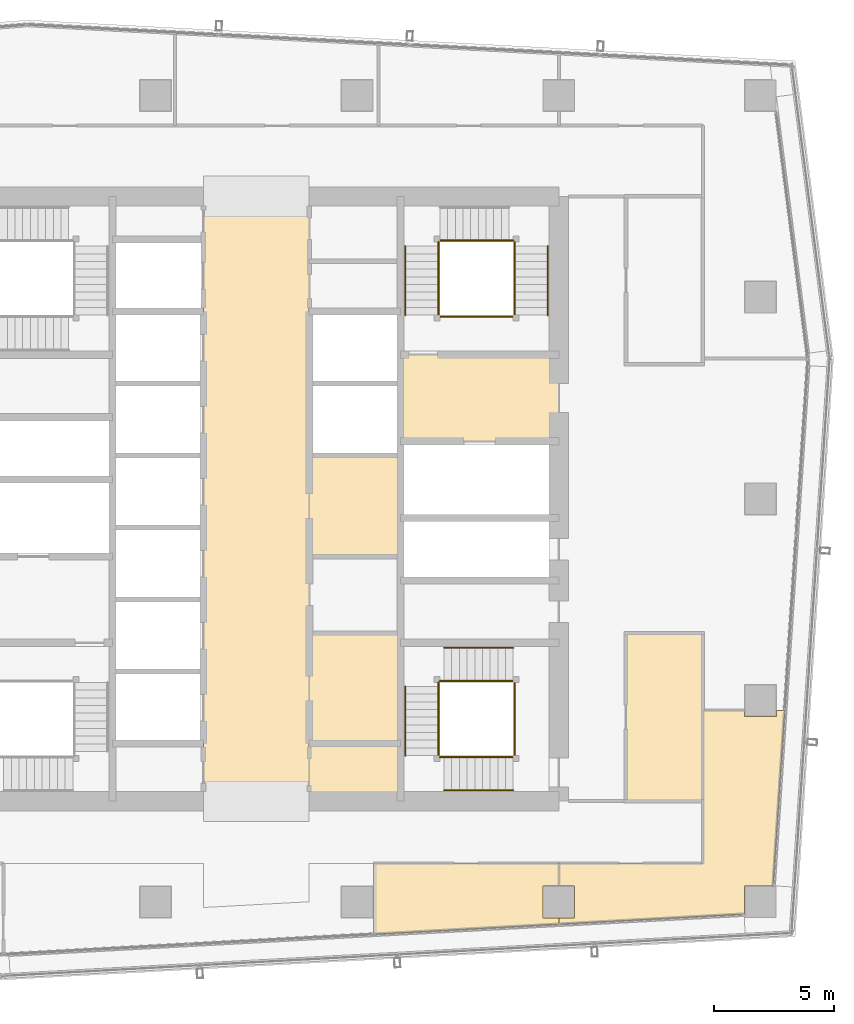
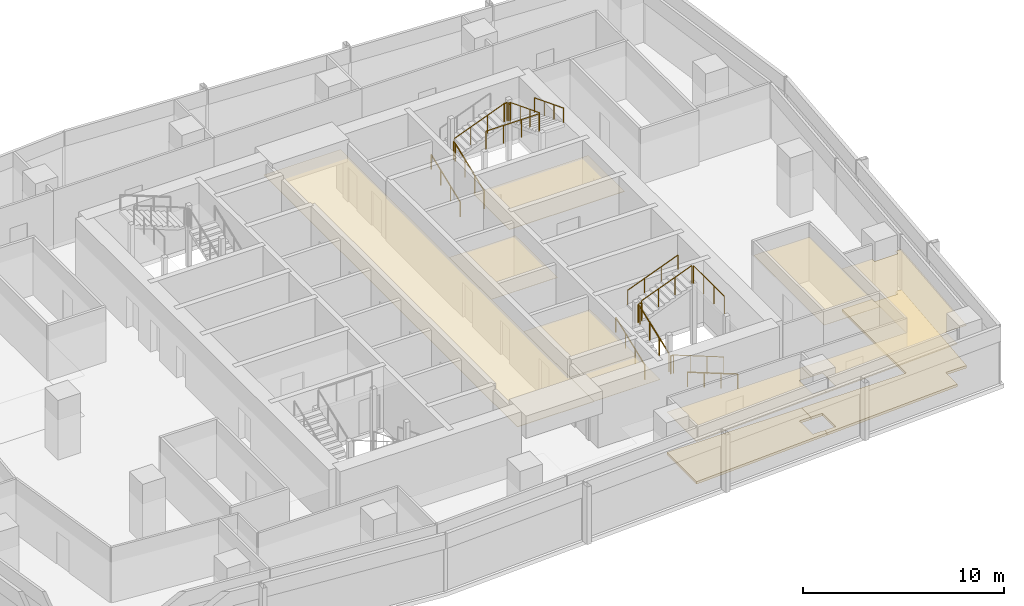
# One storey, part 28 of 29: 19 railings, 10 coverings.
"""IFC4 building model written with IfcOpenShell, lengths in metres."""

from ifc_helpers import new_model, si_unit, direction, frame, origin, origin_2d, place, context, subcontext, project, spatial, polyline, circle, outline, extrude, material, layer, layer_set, type_object, element, save


model = new_model("IFC4")

# Units and contexts
model_context = context("Model", 3, precision=1e-05, world=origin(), true_north=direction((0.0, 1.0)))
body_context = subcontext(model_context, "Body", "Model", "MODEL_VIEW")
ifc_project = project(units=[si_unit("LENGTHUNIT", "METRE"), si_unit("AREAUNIT", "SQUARE_METRE"), si_unit("VOLUMEUNIT", "CUBIC_METRE"), si_unit("PLANEANGLEUNIT", "RADIAN"), si_unit("MASSUNIT", "GRAM", prefix="KILO")], contexts=[model_context])

# Site, building, storey
site_placement = place(None, origin())
site = spatial("IfcSite", under=ifc_project, at=site_placement, CompositionType="ELEMENT")
building_placement = place(site_placement, origin())
building = spatial("IfcBuilding", under=site, at=building_placement, Name="Rekha Terrace Tower", CompositionType="ELEMENT")
storey_placement = place(building_placement, frame((0.0, 0.0, 261.35009765625)))
storey = spatial("IfcBuildingStorey", under=building, at=storey_placement, Name="L66", CompositionType="ELEMENT", Elevation=261.35009765625)

# Coverings
ifc_material_1 = material(Name="Mineral fibre tile in exposed grid", Category="finish")
ifc_layer_1 = layer(ifc_material_1, 0.02001953125)
ifc_layer_set_1 = layer_set([ifc_layer_1], Name="Mineral fibre tile in exposed grid")
covering_type_1 = type_object("IfcCoveringType", Name="CL1 600x1200 office grid ceiling", PredefinedType="CEILING", material=ifc_layer_set_1)
covering_1_placement = place(storey_placement, frame((0.0, 0.0, 2.579833984375)))
element("IfcCovering", 1, at=covering_1_placement, inside=storey, type_object=covering_type_1, Name="Ceiling L66-02", PredefinedType="CEILING", context=body_context, shape_type="SweptSolid", body=[
    extrude(outline(polyline([(49.735107421875, 17.465087890625), (50.39990234375, 17.465087890625), (50.39990234375, 18.39990234375), (42.674072265625, 18.39990234375), (42.674072265625, 15.4541015625), (50.39990234375, 15.875), (50.39990234375, 16.135009765625), (49.735107421875, 16.135009765625), (49.735107421875, 17.465087890625)])), origin(), (0.0, 0.0, 1.0), 0.02001953125),
])
covering_2_placement = place(storey_placement, frame((0.0, 0.0, 2.579833984375)))
element("IfcCovering", 2, at=covering_2_placement, inside=storey, type_object=covering_type_1, Name="Ceiling L66-03", PredefinedType="CEILING", context=body_context, shape_type="SweptSolid", body=[
    extrude(outline(polyline([(58.135009765625, 24.534912109375), (58.135009765625, 24.785888671875), (56.39990234375, 24.785888671875), (56.39990234375, 18.39990234375), (50.40087890625, 18.39990234375), (50.40087890625, 17.465087890625), (51.06494140625, 17.465087890625), (51.06494140625, 16.135009765625), (50.40087890625, 16.135009765625), (50.40087890625, 15.875), (58.135009765625, 16.2958984375), (58.135009765625, 17.465087890625), (59.327880859375, 17.465087890625), (59.81396484375, 24.785888671875), (59.465087890625, 24.785888671875), (59.465087890625, 24.534912109375), (58.135009765625, 24.534912109375)])), origin(), (0.0, 0.0, 1.0), 0.02001953125),
])
ifc_material_2 = material(Name="Fibre cement board", Category="finish")
ifc_layer_2 = layer(ifc_material_2, 0.014892578125)
ifc_layer_set_2 = layer_set([ifc_layer_2], Name="Fibre cement board")
covering_type_2 = type_object("IfcCoveringType", Name="CL2 moisture-resistant board ceiling", PredefinedType="CEILING", material=ifc_layer_set_2)
covering_3_placement = place(storey_placement, frame((0.0, 0.0, 2.5849609375)))
element("IfcCovering", 3, at=covering_3_placement, inside=storey, type_object=covering_type_2, Name="Ceiling L66-WCA", PredefinedType="CEILING", context=body_context, shape_type="SweptSolid", body=[
    extrude(outline(polyline([(43.800048828125, 23.39990234375), (40.0, 23.39990234375), (40.0, 21.0), (43.800048828125, 21.0), (43.800048828125, 23.39990234375)])), origin(), (0.0, 0.0, 1.0), 0.014892578125),
])
covering_4_placement = place(storey_placement, frame((0.0, 0.0, 2.5849609375)))
element("IfcCovering", 4, at=covering_4_placement, inside=storey, type_object=covering_type_2, Name="Ceiling L66-FSE1", PredefinedType="CEILING", context=body_context, shape_type="SweptSolid", body=[
    extrude(outline(polyline([(43.800048828125, 28.0), (40.0, 28.0), (40.0, 23.39990234375), (43.800048828125, 23.39990234375), (43.800048828125, 28.0)])), origin(), (0.0, 0.0, 1.0), 0.014892578125),
])
covering_5_placement = place(storey_placement, frame((0.0, 0.0, 2.5849609375)))
element("IfcCovering", 5, at=covering_5_placement, inside=storey, type_object=covering_type_2, Name="Ceiling L66-FSE3", PredefinedType="CEILING", context=body_context, shape_type="SweptSolid", body=[
    extrude(outline(polyline([(43.800048828125, 35.39990234375), (40.0, 35.39990234375), (40.0, 31.199951171875), (43.800048828125, 31.199951171875), (43.800048828125, 35.39990234375)])), origin(), (0.0, 0.0, 1.0), 0.014892578125),
])
covering_6_placement = place(storey_placement, frame((0.0, 0.0, 2.5849609375)))
element("IfcCovering", 6, at=covering_6_placement, inside=storey, type_object=covering_type_2, Name="Ceiling L66-WCM2", PredefinedType="CEILING", context=body_context, shape_type="SweptSolid", body=[
    extrude(outline(polyline([(56.39990234375, 28.0), (53.199951171875, 28.0), (53.199951171875, 21.0), (56.39990234375, 21.0), (56.39990234375, 28.0)])), origin(), (0.0, 0.0, 1.0), 0.014892578125),
])
ifc_material_3 = material(Name="Powder-coated aluminium pan", Category="aluminium")
ifc_layer_3 = layer(ifc_material_3, 0.030029296875)
ifc_layer_set_3 = layer_set([ifc_layer_3], Name="Powder-coated aluminium pan")
covering_type_3 = type_object("IfcCoveringType", Name="CL3 300x1200 metal pan ceiling", PredefinedType="CEILING", material=ifc_layer_set_3)
covering_7_placement = place(storey_placement, frame((0.0, 0.0, 2.56982421875)))
element("IfcCovering", 7, at=covering_7_placement, inside=storey, type_object=covering_type_3, Name="Ceiling L66-LOBBY", PredefinedType="CEILING", context=body_context, shape_type="SweptSolid", body=[
    extrude(outline(polyline([(40.0, 46.199951171875), (35.60009765625, 46.199951171875), (35.60009765625, 21.0), (40.0, 21.0), (40.0, 46.199951171875)])), origin(), (0.0, 0.0, 1.0), 0.030029296875),
])
covering_8_placement = place(storey_placement, frame((0.0, 0.0, 2.56982421875)))
element("IfcCovering", 8, at=covering_8_placement, inside=storey, type_object=covering_type_3, Name="Ceiling L66-FLB2", PredefinedType="CEILING", context=body_context, shape_type="SweptSolid", body=[
    extrude(outline(polyline([(50.39990234375, 39.60009765625), (43.800048828125, 39.60009765625), (43.800048828125, 36.0), (50.39990234375, 36.0), (50.39990234375, 39.60009765625)])), origin(), (0.0, 0.0, 1.0), 0.030029296875),
])

# Railings
ifc_material_4 = material(Name="Stainless steel balustrade", Category="steel")
railing_type_1 = type_object("IfcRailingType", Name="GR1 1100 stair guard", PredefinedType="GUARDRAIL", material=ifc_material_4)
railing_1_placement = place(storey_placement, frame((45.389892578125, 41.25, 0.125)))
element("IfcRailing", 9, at=railing_1_placement, inside=storey, type_object=railing_type_1, Name="Guard ST2 L66 flight 1", PredefinedType="GUARDRAIL", context=body_context, shape_type="SweptSolid", body=[
    extrude(circle(Radius=0.02392578125, at=origin_2d()), frame((0.0, 0.0, 1.076171875), z_axis=(0.0, 0.931452331594, 0.363863372667), x_axis=(-1.0, 0.0, 0.0)), (0.0, 0.0, 1.0), 3.091796875),
    extrude(circle(Radius=0.02099609375, at=origin_2d()), origin(), (0.0, 0.0, 1.0), 1.052001953125),
    extrude(circle(Radius=0.02099609375, at=origin_2d()), frame((0.0, 0.9599609375, 0.375)), (0.0, 0.0, 1.0), 1.052001953125),
    extrude(circle(Radius=0.02099609375, at=origin_2d()), frame((0.0, 1.919921875, 0.75)), (0.0, 0.0, 1.0), 1.052001953125),
    extrude(circle(Radius=0.02099609375, at=origin_2d()), frame((0.0, 2.8798828125, 1.125)), (0.0, 0.0, 1.0), 1.052001953125),
])
railing_2_placement = place(storey_placement, frame((45.449951171875, 44.360107421875, 1.375)))
element("IfcRailing", 10, at=railing_2_placement, inside=storey, type_object=railing_type_1, Name="Guard ST2 L66 flight 2", PredefinedType="GUARDRAIL", context=body_context, shape_type="SweptSolid", body=[
    extrude(circle(Radius=0.02392578125, at=origin_2d()), frame((0.0, 0.0, 1.076171875), z_axis=(0.931462784923, 0.0, 0.363836612098), x_axis=(0.0, 1.0, 0.0)), (0.0, 0.0, 1.0), 3.092041015625),
    extrude(circle(Radius=0.02099609375, at=origin_2d()), origin(), (0.0, 0.0, 1.0), 1.052001953125),
    extrude(circle(Radius=0.02099609375, at=origin_2d()), frame((0.9599609375, 0.0, 0.375)), (0.0, 0.0, 1.0), 1.052001953125),
    extrude(circle(Radius=0.02099609375, at=origin_2d()), frame((1.920166015625, 0.0, 0.75)), (0.0, 0.0, 1.0), 1.052001953125),
    extrude(circle(Radius=0.02099609375, at=origin_2d()), frame((2.880126953125, 0.0, 1.125)), (0.0, 0.0, 1.0), 1.052001953125),
])
railing_3_placement = place(storey_placement, frame((48.56005859375, 44.1298828125, 2.625)))
element("IfcRailing", 11, at=railing_3_placement, inside=storey, type_object=railing_type_1, Name="Guard ST2 L66 flight 3", PredefinedType="GUARDRAIL", context=body_context, shape_type="SweptSolid", body=[
    extrude(circle(Radius=0.02392578125, at=origin_2d()), frame((0.0, 0.0, 1.076171875), z_axis=(0.0, -0.931452331594, 0.363863372667), x_axis=(1.0, 0.0, 0.0)), (0.0, 0.0, 1.0), 3.091796875),
    extrude(circle(Radius=0.02099609375, at=origin_2d()), origin(), (0.0, 0.0, 1.0), 1.052001953125),
    extrude(circle(Radius=0.02099609375, at=origin_2d()), frame((0.0, -0.9599609375, 0.375)), (0.0, 0.0, 1.0), 1.052001953125),
    extrude(circle(Radius=0.02099609375, at=origin_2d()), frame((0.0, -1.919921875, 0.75)), (0.0, 0.0, 1.0), 1.052001953125),
    extrude(circle(Radius=0.02099609375, at=origin_2d()), frame((0.0, -2.8798828125, 1.125)), (0.0, 0.0, 1.0), 1.052001953125),
])
railing_4_placement = place(storey_placement, frame((45.389892578125, 44.1298828125, 1.25)))
element("IfcRailing", 12, at=railing_4_placement, inside=storey, type_object=railing_type_1, Name="Guard ST2 L66 landing 1", PredefinedType="GUARDRAIL", context=body_context, shape_type="SweptSolid", body=[
    extrude(circle(Radius=0.02392578125, at=origin_2d()), frame((0.0, 0.0, 1.076171875), z_axis=(0.0, 1.0, 0.0), x_axis=(-1.0, 0.0, 0.0)), (0.0, 0.0, 1.0), 0.170166015625),
    extrude(circle(Radius=0.02099609375, at=origin_2d()), origin(), (0.0, 0.0, 1.0), 1.052001953125),
    extrude(circle(Radius=0.02099609375, at=origin_2d()), frame((0.0, 0.170166015625, 0.0)), (0.0, 0.0, 1.0), 1.052001953125),
])
railing_5_placement = place(storey_placement, frame((48.330078125, 44.360107421875, 2.5)))
element("IfcRailing", 13, at=railing_5_placement, inside=storey, type_object=railing_type_1, Name="Guard ST2 L66 landing 2", PredefinedType="GUARDRAIL", context=body_context, shape_type="SweptSolid", body=[
    extrude(circle(Radius=0.02392578125, at=origin_2d()), frame((0.0, 0.0, 1.076171875), z_axis=(1.0, 0.0, 0.0), x_axis=(0.0, 1.0, 0.0)), (0.0, 0.0, 1.0), 0.169921875),
    extrude(circle(Radius=0.02099609375, at=origin_2d()), origin(), (0.0, 0.0, 1.0), 1.052001953125),
    extrude(circle(Radius=0.02099609375, at=origin_2d()), frame((0.169921875, 0.0, 0.0)), (0.0, 0.0, 1.0), 1.052001953125),
])
railing_6_placement = place(storey_placement, frame((48.56005859375, 44.1298828125, 2.5)))
element("IfcRailing", 14, at=railing_6_placement, inside=storey, type_object=railing_type_1, Name="Guard ST2 L66 landing 3", PredefinedType="GUARDRAIL", context=body_context, shape_type="SweptSolid", body=[
    extrude(circle(Radius=0.02392578125, at=origin_2d()), frame((0.0, 0.0, 1.076171875), z_axis=(0.0, 1.0, 0.0), x_axis=(-1.0, 0.0, 0.0)), (0.0, 0.0, 1.0), 0.170166015625),
    extrude(circle(Radius=0.02099609375, at=origin_2d()), origin(), (0.0, 0.0, 1.0), 1.052001953125),
    extrude(circle(Radius=0.02099609375, at=origin_2d()), frame((0.0, 0.170166015625, 0.0)), (0.0, 0.0, 1.0), 1.052001953125),
])
railing_7_placement = place(storey_placement, frame((45.449951171875, 41.18994140625, 3.75)))
element("IfcRailing", 15, at=railing_7_placement, inside=storey, type_object=railing_type_1, Name="Guard ST2 L66 landing 4", PredefinedType="GUARDRAIL", context=body_context, shape_type="SweptSolid", body=[
    extrude(circle(Radius=0.02392578125, at=origin_2d()), frame((0.0, 0.0, 1.076171875), z_axis=(1.0, 0.0, 0.0), x_axis=(0.0, 1.0, 0.0)), (0.0, 0.0, 1.0), 3.050048828125),
    extrude(circle(Radius=0.02099609375, at=origin_2d()), origin(), (0.0, 0.0, 1.0), 1.052001953125),
    extrude(circle(Radius=0.02099609375, at=origin_2d()), frame((1.0166015625, 0.0, 0.0)), (0.0, 0.0, 1.0), 1.052001953125),
    extrude(circle(Radius=0.02099609375, at=origin_2d()), frame((2.033447265625, 0.0, 0.0)), (0.0, 0.0, 1.0), 1.052001953125),
    extrude(circle(Radius=0.02099609375, at=origin_2d()), frame((3.050048828125, 0.0, 0.0)), (0.0, 0.0, 1.0), 1.052001953125),
])
railing_8_placement = place(storey_placement, frame((48.5, 22.840087890625, 0.125)))
element("IfcRailing", 16, at=railing_8_placement, inside=storey, type_object=railing_type_1, Name="Guard ST3 L66 flight 1", PredefinedType="GUARDRAIL", context=body_context, shape_type="SweptSolid", body=[
    extrude(circle(Radius=0.02392578125, at=origin_2d()), frame((0.0, 0.0, 1.076171875), z_axis=(-0.931452331594, 0.0, 0.363863372667), x_axis=(0.0, -1.0, 0.0)), (0.0, 0.0, 1.0), 3.091796875),
    extrude(circle(Radius=0.02099609375, at=origin_2d()), origin(), (0.0, 0.0, 1.0), 1.052001953125),
    extrude(circle(Radius=0.02099609375, at=origin_2d()), frame((-0.9599609375, 0.0, 0.375)), (0.0, 0.0, 1.0), 1.052001953125),
    extrude(circle(Radius=0.02099609375, at=origin_2d()), frame((-1.919921875, 0.0, 0.75)), (0.0, 0.0, 1.0), 1.052001953125),
    extrude(circle(Radius=0.02099609375, at=origin_2d()), frame((-2.8798828125, 0.0, 1.125)), (0.0, 0.0, 1.0), 1.052001953125),
])
railing_9_placement = place(storey_placement, frame((45.389892578125, 22.89990234375, 1.375)))
element("IfcRailing", 17, at=railing_9_placement, inside=storey, type_object=railing_type_1, Name="Guard ST3 L66 flight 2", PredefinedType="GUARDRAIL", context=body_context, shape_type="SweptSolid", body=[
    extrude(circle(Radius=0.02392578125, at=origin_2d()), frame((0.0, 0.0, 1.076171875), z_axis=(0.0, 0.931462784923, 0.363836612098), x_axis=(-1.0, 0.0, 0.0)), (0.0, 0.0, 1.0), 3.092041015625),
    extrude(circle(Radius=0.02099609375, at=origin_2d()), origin(), (0.0, 0.0, 1.0), 1.052001953125),
    extrude(circle(Radius=0.02099609375, at=origin_2d()), frame((0.0, 0.9599609375, 0.375)), (0.0, 0.0, 1.0), 1.052001953125),
    extrude(circle(Radius=0.02099609375, at=origin_2d()), frame((0.0, 1.920166015625, 0.75)), (0.0, 0.0, 1.0), 1.052001953125),
    extrude(circle(Radius=0.02099609375, at=origin_2d()), frame((0.0, 2.880126953125, 1.125)), (0.0, 0.0, 1.0), 1.052001953125),
])
railing_10_placement = place(storey_placement, frame((45.6201171875, 26.010009765625, 2.625)))
element("IfcRailing", 18, at=railing_10_placement, inside=storey, type_object=railing_type_1, Name="Guard ST3 L66 flight 3", PredefinedType="GUARDRAIL", context=body_context, shape_type="SweptSolid", body=[
    extrude(circle(Radius=0.02392578125, at=origin_2d()), frame((0.0, 0.0, 1.076171875), z_axis=(0.931452331594, 0.0, 0.363863372667), x_axis=(0.0, 1.0, 0.0)), (0.0, 0.0, 1.0), 3.091796875),
    extrude(circle(Radius=0.02099609375, at=origin_2d()), origin(), (0.0, 0.0, 1.0), 1.052001953125),
    extrude(circle(Radius=0.02099609375, at=origin_2d()), frame((0.9599609375, 0.0, 0.375)), (0.0, 0.0, 1.0), 1.052001953125),
    extrude(circle(Radius=0.02099609375, at=origin_2d()), frame((1.919921875, 0.0, 0.75)), (0.0, 0.0, 1.0), 1.052001953125),
    extrude(circle(Radius=0.02099609375, at=origin_2d()), frame((2.8798828125, 0.0, 1.125)), (0.0, 0.0, 1.0), 1.052001953125),
])
railing_11_placement = place(storey_placement, frame((45.6201171875, 22.840087890625, 1.25)))
element("IfcRailing", 19, at=railing_11_placement, inside=storey, type_object=railing_type_1, Name="Guard ST3 L66 landing 1", PredefinedType="GUARDRAIL", context=body_context, shape_type="SweptSolid", body=[
    extrude(circle(Radius=0.02392578125, at=origin_2d()), frame((0.0, 0.0, 1.076171875), z_axis=(-1.0, 0.0, 0.0), x_axis=(0.0, -1.0, 0.0)), (0.0, 0.0, 1.0), 0.170166015625),
    extrude(circle(Radius=0.02099609375, at=origin_2d()), origin(), (0.0, 0.0, 1.0), 1.052001953125),
    extrude(circle(Radius=0.02099609375, at=origin_2d()), frame((-0.170166015625, 0.0, 0.0)), (0.0, 0.0, 1.0), 1.052001953125),
])
railing_12_placement = place(storey_placement, frame((45.389892578125, 25.780029296875, 2.5)))
element("IfcRailing", 20, at=railing_12_placement, inside=storey, type_object=railing_type_1, Name="Guard ST3 L66 landing 2", PredefinedType="GUARDRAIL", context=body_context, shape_type="SweptSolid", body=[
    extrude(circle(Radius=0.02392578125, at=origin_2d()), frame((0.0, 0.0, 1.076171875), z_axis=(0.0, 1.0, 0.0), x_axis=(-1.0, 0.0, 0.0)), (0.0, 0.0, 1.0), 0.169921875),
    extrude(circle(Radius=0.02099609375, at=origin_2d()), origin(), (0.0, 0.0, 1.0), 1.052001953125),
    extrude(circle(Radius=0.02099609375, at=origin_2d()), frame((0.0, 0.169921875, 0.0)), (0.0, 0.0, 1.0), 1.052001953125),
])
railing_13_placement = place(storey_placement, frame((45.6201171875, 26.010009765625, 2.5)))
element("IfcRailing", 21, at=railing_13_placement, inside=storey, type_object=railing_type_1, Name="Guard ST3 L66 landing 3", PredefinedType="GUARDRAIL", context=body_context, shape_type="SweptSolid", body=[
    extrude(circle(Radius=0.02392578125, at=origin_2d()), frame((0.0, 0.0, 1.076171875), z_axis=(-1.0, 0.0, 0.0), x_axis=(0.0, -1.0, 0.0)), (0.0, 0.0, 1.0), 0.170166015625),
    extrude(circle(Radius=0.02099609375, at=origin_2d()), origin(), (0.0, 0.0, 1.0), 1.052001953125),
    extrude(circle(Radius=0.02099609375, at=origin_2d()), frame((-0.170166015625, 0.0, 0.0)), (0.0, 0.0, 1.0), 1.052001953125),
])
railing_14_placement = place(storey_placement, frame((48.56005859375, 22.89990234375, 3.75)))
element("IfcRailing", 22, at=railing_14_placement, inside=storey, type_object=railing_type_1, Name="Guard ST3 L66 landing 4", PredefinedType="GUARDRAIL", context=body_context, shape_type="SweptSolid", body=[
    extrude(circle(Radius=0.02392578125, at=origin_2d()), frame((0.0, 0.0, 1.076171875), z_axis=(0.0, 1.0, 0.0), x_axis=(-1.0, 0.0, 0.0)), (0.0, 0.0, 1.0), 3.050048828125),
    extrude(circle(Radius=0.02099609375, at=origin_2d()), origin(), (0.0, 0.0, 1.0), 1.052001953125),
    extrude(circle(Radius=0.02099609375, at=origin_2d()), frame((0.0, 1.0166015625, 0.0)), (0.0, 0.0, 1.0), 1.052001953125),
    extrude(circle(Radius=0.02099609375, at=origin_2d()), frame((0.0, 2.033447265625, 0.0)), (0.0, 0.0, 1.0), 1.052001953125),
    extrude(circle(Radius=0.02099609375, at=origin_2d()), frame((0.0, 3.050048828125, 0.0)), (0.0, 0.0, 1.0), 1.052001953125),
])
ifc_material_5 = material(Name="Stainless steel tube", Category="steel")
railing_type_2 = type_object("IfcRailingType", Name="HR1 900 stair handrail", PredefinedType="HANDRAIL", material=ifc_material_5)
railing_15_placement = place(storey_placement, frame((44.010009765625, 41.25, 0.125)))
element("IfcRailing", 23, at=railing_15_placement, inside=storey, type_object=railing_type_2, Name="Handrail ST2 L66 flight 1", PredefinedType="HANDRAIL", context=body_context, shape_type="SweptSolid", body=[
    extrude(circle(Radius=0.02392578125, at=origin_2d()), frame((0.0, 0.0, 0.8759765625), z_axis=(0.0, 0.931452331594, 0.363863372667), x_axis=(-1.0, 0.0, 0.0)), (0.0, 0.0, 1.0), 3.091796875),
    extrude(circle(Radius=0.02099609375, at=origin_2d()), origin(), (0.0, 0.0, 1.0), 0.851806640625),
    extrude(circle(Radius=0.02099609375, at=origin_2d()), frame((0.0, 0.9599609375, 0.375)), (0.0, 0.0, 1.0), 0.851806640625),
    extrude(circle(Radius=0.02099609375, at=origin_2d()), frame((0.0, 1.919921875, 0.75)), (0.0, 0.0, 1.0), 0.851806640625),
    extrude(circle(Radius=0.02099609375, at=origin_2d()), frame((0.0, 2.8798828125, 1.125)), (0.0, 0.0, 1.0), 0.851806640625),
])
railing_16_placement = place(storey_placement, frame((49.93994140625, 44.1298828125, 2.625)))
element("IfcRailing", 24, at=railing_16_placement, inside=storey, type_object=railing_type_2, Name="Handrail ST2 L66 flight 3", PredefinedType="HANDRAIL", context=body_context, shape_type="SweptSolid", body=[
    extrude(circle(Radius=0.02392578125, at=origin_2d()), frame((0.0, 0.0, 0.8759765625), z_axis=(0.0, -0.931452331594, 0.363863372667), x_axis=(1.0, 0.0, 0.0)), (0.0, 0.0, 1.0), 3.091796875),
    extrude(circle(Radius=0.02099609375, at=origin_2d()), origin(), (0.0, 0.0, 1.0), 0.851806640625),
    extrude(circle(Radius=0.02099609375, at=origin_2d()), frame((0.0, -0.9599609375, 0.375)), (0.0, 0.0, 1.0), 0.851806640625),
    extrude(circle(Radius=0.02099609375, at=origin_2d()), frame((0.0, -1.919921875, 0.75)), (0.0, 0.0, 1.0), 0.851806640625),
    extrude(circle(Radius=0.02099609375, at=origin_2d()), frame((0.0, -2.8798828125, 1.125)), (0.0, 0.0, 1.0), 0.851806640625),
])
railing_17_placement = place(storey_placement, frame((48.5, 21.4599609375, 0.125)))
element("IfcRailing", 25, at=railing_17_placement, inside=storey, type_object=railing_type_2, Name="Handrail ST3 L66 flight 1", PredefinedType="HANDRAIL", context=body_context, shape_type="SweptSolid", body=[
    extrude(circle(Radius=0.02392578125, at=origin_2d()), frame((0.0, 0.0, 0.8759765625), z_axis=(-0.931452331594, 0.0, 0.363863372667), x_axis=(0.0, -1.0, 0.0)), (0.0, 0.0, 1.0), 3.091796875),
    extrude(circle(Radius=0.02099609375, at=origin_2d()), origin(), (0.0, 0.0, 1.0), 0.851806640625),
    extrude(circle(Radius=0.02099609375, at=origin_2d()), frame((-0.9599609375, 0.0, 0.375)), (0.0, 0.0, 1.0), 0.851806640625),
    extrude(circle(Radius=0.02099609375, at=origin_2d()), frame((-1.919921875, 0.0, 0.75)), (0.0, 0.0, 1.0), 0.851806640625),
    extrude(circle(Radius=0.02099609375, at=origin_2d()), frame((-2.8798828125, 0.0, 1.125)), (0.0, 0.0, 1.0), 0.851806640625),
])
railing_18_placement = place(storey_placement, frame((44.010009765625, 22.89990234375, 1.375)))
element("IfcRailing", 26, at=railing_18_placement, inside=storey, type_object=railing_type_2, Name="Handrail ST3 L66 flight 2", PredefinedType="HANDRAIL", context=body_context, shape_type="SweptSolid", body=[
    extrude(circle(Radius=0.02392578125, at=origin_2d()), frame((0.0, 0.0, 0.8759765625), z_axis=(0.0, 0.931462784923, 0.363836612098), x_axis=(-1.0, 0.0, 0.0)), (0.0, 0.0, 1.0), 3.092041015625),
    extrude(circle(Radius=0.02099609375, at=origin_2d()), origin(), (0.0, 0.0, 1.0), 0.851806640625),
    extrude(circle(Radius=0.02099609375, at=origin_2d()), frame((0.0, 0.9599609375, 0.375)), (0.0, 0.0, 1.0), 0.851806640625),
    extrude(circle(Radius=0.02099609375, at=origin_2d()), frame((0.0, 1.920166015625, 0.75)), (0.0, 0.0, 1.0), 0.851806640625),
    extrude(circle(Radius=0.02099609375, at=origin_2d()), frame((0.0, 2.880126953125, 1.125)), (0.0, 0.0, 1.0), 0.851806640625),
])
railing_19_placement = place(storey_placement, frame((45.6201171875, 27.389892578125, 2.625)))
element("IfcRailing", 27, at=railing_19_placement, inside=storey, type_object=railing_type_2, Name="Handrail ST3 L66 flight 3", PredefinedType="HANDRAIL", context=body_context, shape_type="SweptSolid", body=[
    extrude(circle(Radius=0.02392578125, at=origin_2d()), frame((0.0, 0.0, 0.8759765625), z_axis=(0.931452331594, 0.0, 0.363863372667), x_axis=(0.0, 1.0, 0.0)), (0.0, 0.0, 1.0), 3.091796875),
    extrude(circle(Radius=0.02099609375, at=origin_2d()), origin(), (0.0, 0.0, 1.0), 0.851806640625),
    extrude(circle(Radius=0.02099609375, at=origin_2d()), frame((0.9599609375, 0.0, 0.375)), (0.0, 0.0, 1.0), 0.851806640625),
    extrude(circle(Radius=0.02099609375, at=origin_2d()), frame((1.919921875, 0.0, 0.75)), (0.0, 0.0, 1.0), 0.851806640625),
    extrude(circle(Radius=0.02099609375, at=origin_2d()), frame((2.8798828125, 0.0, 1.125)), (0.0, 0.0, 1.0), 0.851806640625),
])

# Coverings
ifc_material_6 = material(Name="Calcium sulphate panels on steel pedestals", Category="steel")
ifc_layer_4 = layer(ifc_material_6, 0.14990234375)
ifc_layer_set_4 = layer_set([ifc_layer_4], Name="Calcium sulphate panels on steel pedestals")
covering_type_4 = type_object("IfcCoveringType", Name="RF1 150 raised access floor", PredefinedType="FLOORING", material=ifc_layer_set_4)
covering_9_placement = place(storey_placement, origin())
element("IfcCovering", 28, at=covering_9_placement, inside=storey, type_object=covering_type_4, Name="Raised floor L66-02", PredefinedType="FLOORING", context=body_context, shape_type="SweptSolid", body=[
    extrude(outline(polyline([(49.735107421875, 17.465087890625), (50.39990234375, 17.465087890625), (50.39990234375, 18.39990234375), (42.674072265625, 18.39990234375), (42.674072265625, 15.4541015625), (50.39990234375, 15.875), (50.39990234375, 16.135009765625), (49.735107421875, 16.135009765625), (49.735107421875, 17.465087890625)])), origin(), (0.0, 0.0, 1.0), 0.14990234375),
])
covering_10_placement = place(storey_placement, origin())
element("IfcCovering", 29, at=covering_10_placement, inside=storey, type_object=covering_type_4, Name="Raised floor L66-03", PredefinedType="FLOORING", context=body_context, shape_type="SweptSolid", body=[
    extrude(outline(polyline([(58.135009765625, 24.534912109375), (58.135009765625, 24.785888671875), (56.39990234375, 24.785888671875), (56.39990234375, 18.39990234375), (50.40087890625, 18.39990234375), (50.40087890625, 17.465087890625), (51.06494140625, 17.465087890625), (51.06494140625, 16.135009765625), (50.40087890625, 16.135009765625), (50.40087890625, 15.875), (58.135009765625, 16.2958984375), (58.135009765625, 17.465087890625), (59.327880859375, 17.465087890625), (59.81396484375, 24.785888671875), (59.465087890625, 24.785888671875), (59.465087890625, 24.534912109375), (58.135009765625, 24.534912109375)])), origin(), (0.0, 0.0, 1.0), 0.14990234375),
])

save(model, "model.ifc")
